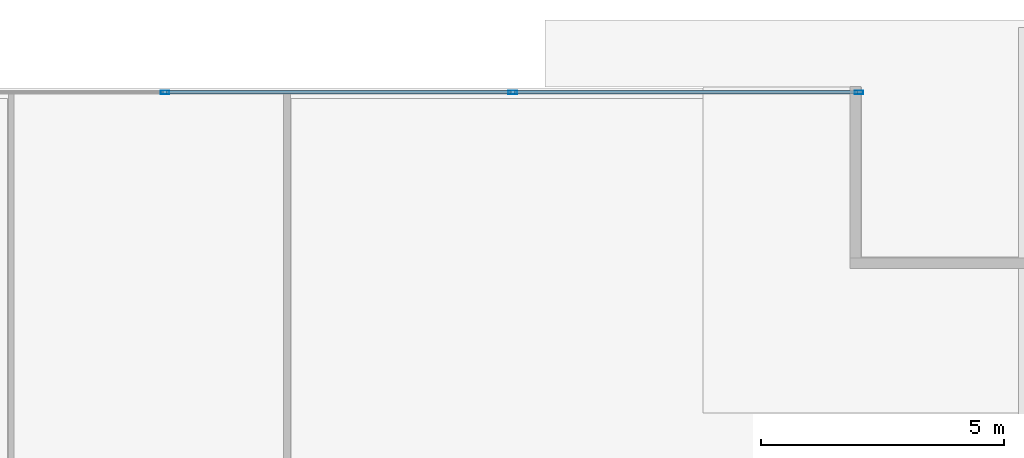
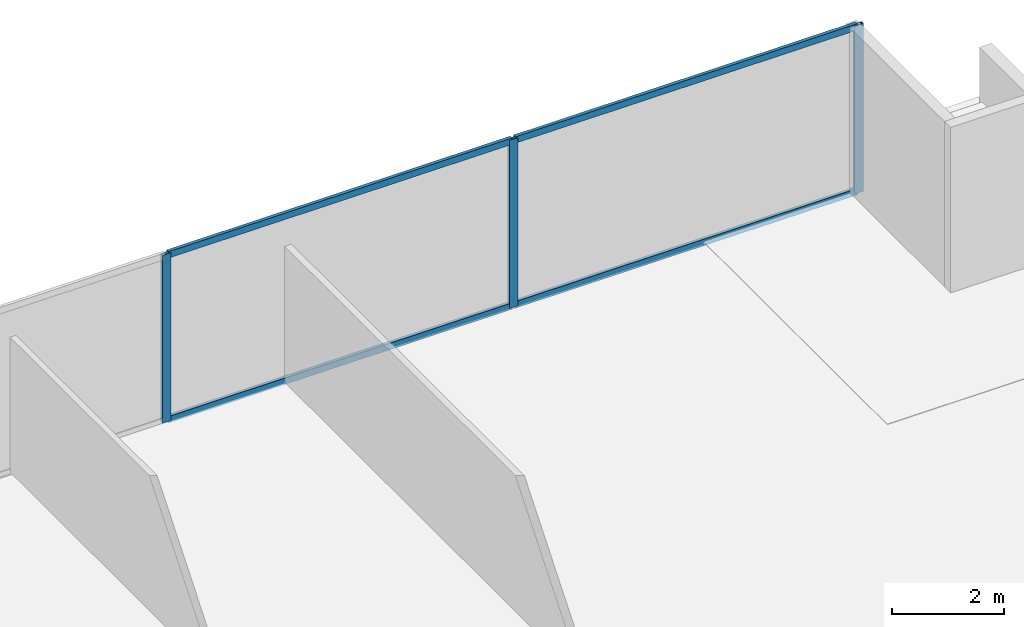
# One storey, part 23 of 30: 7 members, 1 element without a shape of its own.
"""IFC4 building model written with IfcOpenShell, lengths in metres."""

import ifcopenshell
import ifcopenshell.guid

model = None  # the IFC model being written
_history = None  # IfcOwnerHistory: only IFC2X3 demands one
_inside = {}  # id of a spatial element -> (the spatial element, [elements in it])
_under = {}  # id of a project, library or spatial element -> (it, [spatial elements below it])
_declared = {}  # id of a project -> (the project, [libraries it declares])
_typed = {}  # id of a type object -> (the type object, [elements of that type])
_made_of = {}  # id of a material, layer set ... -> (it, [elements and type objects made of it])


def new_model(schema):
    """Start an empty IFC model of exactly this schema.

    Asked for "IFC4X3", IfcOpenShell would pick the latest addendum, in which some entities
    have other attributes; the version numbers below select the first issue.
    IFC2X3 requires an IfcOwnerHistory on every rooted entity: one is made here for all.
    """
    global model, _history
    if schema == "IFC4X3":
        model = ifcopenshell.file(schema_version=(4, 3, 0, 0))
    else:
        model = ifcopenshell.file(schema=schema)
    _inside.clear()
    _under.clear()
    _declared.clear()
    _typed.clear()
    _made_of.clear()
    _history = None
    if model.schema == "IFC2X3":
        org = make("IfcOrganization", Name="unknown")
        user = make(
            "IfcPersonAndOrganization",
            ThePerson=make("IfcPerson", FamilyName="unknown"),
            TheOrganization=org,
        )
        app = make(
            "IfcApplication",
            ApplicationDeveloper=org,
            Version="unknown",
            ApplicationFullName="unknown",
            ApplicationIdentifier="unknown",
        )
        _history = make(
            "IfcOwnerHistory",
            OwningUser=user,
            OwningApplication=app,
            ChangeAction="ADDED",
            CreationDate=0,
        )
    return model


def make(cls, **values):
    """One entity of the class cls with the attributes given. An attribute that is None is left unset."""
    return model.create_entity(
        cls, **{name: value for name, value in values.items() if value is not None}
    )


def rooted(cls, **values):
    """An entity with a GlobalId (a new one), such as an element, a storey or a relation."""
    return make(cls, GlobalId=ifcopenshell.guid.new(), OwnerHistory=_history, **values)


def si_unit(unit_type, name, prefix=None):
    """IfcSIUnit, for example si_unit("LENGTHUNIT", "METRE", prefix="MILLI")."""
    return make("IfcSIUnit", UnitType=unit_type, Prefix=prefix, Name=name)


def assignment(units):
    """IfcUnitAssignment: the units of a project."""
    return None if units is None else make("IfcUnitAssignment", Units=units)


def point(xyz):
    """IfcCartesianPoint."""
    return None if xyz is None else make("IfcCartesianPoint", Coordinates=xyz)


def direction(xyz):
    """IfcDirection."""
    return None if xyz is None else make("IfcDirection", DirectionRatios=xyz)


def frame(location, z_axis=None, x_axis=None):
    """IfcAxis2Placement3D, a coordinate frame: its origin and axes. An axis left out is left unset."""
    return make(
        "IfcAxis2Placement3D",
        Location=point(location),
        Axis=direction(z_axis),
        RefDirection=direction(x_axis),
    )


def frame_2d(location, x_axis=None):
    """IfcAxis2Placement2D, a coordinate frame in the plane: its origin and x axis."""
    return make(
        "IfcAxis2Placement2D", Location=point(location), RefDirection=direction(x_axis)
    )


def origin():
    """The frame at (0, 0, 0) with its axes left unset."""
    return frame((0.0, 0.0, 0.0))


def origin_2d():
    """The frame at (0, 0) in the plane with its x axis left unset."""
    return frame_2d((0.0, 0.0))


def place(relative_to, where):
    """IfcLocalPlacement: puts the frame where relative to a parent placement (None: the world)."""
    return make(
        "IfcLocalPlacement", PlacementRelTo=relative_to, RelativePlacement=where
    )


def context(
    kind, dimensions, precision=None, world=None, true_north=None, identifier=None
):
    """IfcGeometricRepresentationContext, for example the 3D "Model" context."""
    return make(
        "IfcGeometricRepresentationContext",
        ContextIdentifier=identifier,
        ContextType=kind,
        CoordinateSpaceDimension=dimensions,
        Precision=precision,
        WorldCoordinateSystem=world,
        TrueNorth=true_north,
    )


def subcontext(parent, identifier, kind, view, scale=None):
    """IfcGeometricRepresentationSubContext, for example "Body" below "Model"."""
    return make(
        "IfcGeometricRepresentationSubContext",
        ContextIdentifier=identifier,
        ContextType=kind,
        ParentContext=parent,
        TargetScale=scale,
        TargetView=view,
    )


def project(units=None, contexts=None):
    """IfcProject with its units and contexts."""
    return rooted(
        "IfcProject",
        Name="project",
        RepresentationContexts=contexts,
        UnitsInContext=assignment(units),
    )


def spatial(cls, under=None, at=None, **own):
    """A site, building, storey or space (cls), placed at a placement, below another one or the project."""
    s = rooted(cls, ObjectPlacement=at, **own)
    if under is not None:
        _under.setdefault(under.id(), (under, []))[1].append(s)
    return s


def profile(cls, at=None, kind="AREA", **sizes):
    """A parametric profile (cls). Its sizes go by their IFC names, for example OverallWidth=200.0."""
    return make(cls, ProfileType=kind, Position=at, **sizes)


def hollow_rectangle(**sizes):
    """IfcRectangleHollowProfileDef."""
    return profile("IfcRectangleHollowProfileDef", **sizes)


def extrude(swept, where, along, depth):
    """IfcExtrudedAreaSolid: the profile swept, set in the frame where, extruded along a direction by depth."""
    return make(
        "IfcExtrudedAreaSolid",
        SweptArea=swept,
        Position=where,
        ExtrudedDirection=direction(along),
        Depth=depth,
    )


def shape(context_of_items, identifier, shape_type, items):
    """IfcShapeRepresentation: the items that make up one representation, for example the "Body"."""
    return make(
        "IfcShapeRepresentation",
        ContextOfItems=context_of_items,
        RepresentationIdentifier=identifier,
        RepresentationType=shape_type,
        Items=items,
    )


def source(mapping_origin, context_of_items, identifier, shape_type, items):
    """IfcRepresentationMap: a shape defined once, which mapped items show again and again."""
    return make(
        "IfcRepresentationMap",
        MappingOrigin=mapping_origin,
        MappedRepresentation=shape(context_of_items, identifier, shape_type, items),
    )


def transform(
    local_origin,
    x_axis=None,
    y_axis=None,
    z_axis=None,
    scale=None,
    scale2=None,
    scale3=None,
    uniform=True,
):
    """IfcCartesianTransformationOperator3D, or its non-uniform kind. x_axis, y_axis, z_axis: its Axis1, 2, 3."""
    if uniform:
        return make(
            "IfcCartesianTransformationOperator3D",
            Axis1=direction(x_axis),
            Axis2=direction(y_axis),
            LocalOrigin=point(local_origin),
            Scale=scale,
            Axis3=direction(z_axis),
        )
    return make(
        "IfcCartesianTransformationOperator3DnonUniform",
        Axis1=direction(x_axis),
        Axis2=direction(y_axis),
        LocalOrigin=point(local_origin),
        Scale=scale,
        Axis3=direction(z_axis),
        Scale2=scale2,
        Scale3=scale3,
    )


def mapped(mapping_source, mapping_target):
    """IfcMappedItem: shows the shape of a source again, moved by a transform."""
    return make(
        "IfcMappedItem", MappingSource=mapping_source, MappingTarget=mapping_target
    )


def material(Name=None, Category=None):
    """IfcMaterial."""
    return make("IfcMaterial", Name=Name, Category=Category)


def material_profile(
    of_material, cross_section, Name=None, Category=None, Priority=None
):
    """IfcMaterialProfile: a cross section and its material."""
    return make(
        "IfcMaterialProfile",
        Name=Name,
        Material=of_material,
        Profile=cross_section,
        Priority=Priority,
        Category=Category,
    )


def profile_set(profiles, Name=None, composite=None):
    """IfcMaterialProfileSet."""
    return make(
        "IfcMaterialProfileSet",
        Name=Name,
        MaterialProfiles=profiles,
        CompositeProfile=composite,
    )


def made_of(thing, what):
    """Note that an element or type object is made of a material, layer set ...; save() writes the relation."""
    if what is not None:
        _made_of.setdefault(what.id(), (what, []))[1].append(thing)
    return thing


def type_object(cls, material=None, **own):
    """A type object (cls), such as IfcWallType, which elements share."""
    return made_of(rooted(cls, **own), material)


def type_shapes(of_type, sources):
    """Give a type object the sources (RepresentationMaps) that its elements show as mapped items."""
    of_type.RepresentationMaps = sources


def element(
    cls,
    number,
    at=None,
    inside=None,
    cuts=None,
    type_object=None,
    material=None,
    context=None,
    identifier="Body",
    shape_type=None,
    held_by="IfcProductDefinitionShape",
    body=None,
    shapes=None,
    **own,
):
    """One element of the class cls, such as IfcWall. Its Tag is "e" and its number.

    at: its placement. inside: the storey or other place that contains it. cuts: it is an
    opening in that element (IfcRelVoidsElement). A single representation is given by context,
    identifier, shape_type and body (its items); several are given by shapes. held_by: the class
    of the entity that holds the representations. save() writes the other relations.
    """
    e = rooted(cls, Tag="e%d" % number, ObjectPlacement=at, **own)
    if body is not None:
        shapes = [shape(context, identifier, shape_type, body)]
    if shapes is not None:
        e.Representation = make(held_by, Representations=shapes)
    if inside is not None:
        _inside.setdefault(inside.id(), (inside, []))[1].append(e)
    if cuts is not None:
        rooted(
            "IfcRelVoidsElement", RelatingBuildingElement=cuts, RelatedOpeningElement=e
        )
    if type_object is not None:
        _typed.setdefault(type_object.id(), (type_object, []))[1].append(e)
    return made_of(e, material)


def aggregate(whole, parts):
    """IfcRelAggregates: a whole, such as a stair, and the parts it consists of."""
    return rooted("IfcRelAggregates", RelatingObject=whole, RelatedObjects=parts)


def save(model, path):
    """Write the relations noted so far, then the file.

    IfcRelAggregates (storeys below a building ...), IfcRelContainedInSpatialStructure (elements
    in a storey), IfcRelDefinesByType, IfcRelAssociatesMaterial and IfcRelDeclares: one each for
    every whole, place, type object, material and project.
    """
    for whole, parts in _under.values():
        aggregate(whole, parts)
    for where, things in _inside.values():
        rooted(
            "IfcRelContainedInSpatialStructure",
            RelatedElements=things,
            RelatingStructure=where,
        )
    for kind, things in _typed.values():
        rooted("IfcRelDefinesByType", RelatedObjects=things, RelatingType=kind)
    for what, things in _made_of.values():
        rooted("IfcRelAssociatesMaterial", RelatedObjects=things, RelatingMaterial=what)
    for by, libraries in _declared.values():
        rooted("IfcRelDeclares", RelatingContext=by, RelatedDefinitions=libraries)
    model.write(path)


model = new_model("IFC4")

# Units and contexts
model_context = context("Model", 3, precision=1e-05, world=origin(), true_north=direction((0.0, 1.0)))
body_context = subcontext(model_context, "Body", "Model", "MODEL_VIEW")
ifc_project = project(units=[si_unit("LENGTHUNIT", "METRE"), si_unit("AREAUNIT", "SQUARE_METRE"), si_unit("VOLUMEUNIT", "CUBIC_METRE"), si_unit("PLANEANGLEUNIT", "RADIAN"), si_unit("MASSUNIT", "GRAM", prefix="KILO")], contexts=[model_context])

# Site, building, storey
site_placement = place(None, origin())
site = spatial("IfcSite", under=ifc_project, at=site_placement, CompositionType="ELEMENT")
building_placement = place(site_placement, origin())
building = spatial("IfcBuilding", under=site, at=building_placement, Name="Krantzveldt Concourse Tower", CompositionType="ELEMENT")
storey_placement = place(building_placement, frame((0.0, 0.0, 25.0)))
storey = spatial("IfcBuildingStorey", under=building, at=storey_placement, Name="L05", CompositionType="ELEMENT", Elevation=25.0)

# Curtain wall, members
ifc_material = material(Name="Anodised aluminium 6063-T6", Category="aluminium")
curtain_wall_type = type_object("IfcCurtainWallType", Name="CW2", PredefinedType="USERDEFINED", material=ifc_material)
curtain_wall_placement = place(storey_placement, origin())
curtain_wall = element("IfcCurtainWall", 1, at=curtain_wall_placement, inside=storey, type_object=curtain_wall_type, Name="CW-L05-F10", ObjectType="UNITISED CURTAIN WALL", PredefinedType="USERDEFINED")
ifc_material_profile_1 = material_profile(ifc_material, hollow_rectangle(XDim=0.070068359375, YDim=0.179931640625, WallThickness=0.0048828125, at=origin_2d()), Name="Anodised aluminium 6063-T6", Category="aluminium")
ifc_profile_set_1 = profile_set([ifc_material_profile_1], Name="Anodised aluminium 6063-T6 - ALU-MULL 180x70x5")
member_type_1 = type_object("IfcMemberType", Name="CW-MUL-180", PredefinedType="MULLION", material=ifc_profile_set_1)
shared_shape_1 = source(origin(), body_context, "Body", "SweptSolid", [
    extrude(hollow_rectangle(XDim=0.070068359375, YDim=0.179931640625, WallThickness=0.0048828125, at=origin_2d()), origin(), (0.0, 0.0, 1.0), 3.669921875),
])
type_shapes(member_type_1, [shared_shape_1])
member_1_placement = place(storey_placement, frame((57.465087890625, 51.610107421875, 0.0), z_axis=(0.0, 0.0, 1.0), x_axis=(0.0, -1.0, 0.0)))
member_1 = element("IfcMember", 2, at=member_1_placement, type_object=member_type_1, Name="CW-Z12 mullion 1", PredefinedType="MULLION", context=body_context, shape_type="MappedRepresentation", body=[
    mapped(shared_shape_1, transform((0.0, 0.0, 0.0), x_axis=(1.0, 0.0, 0.0), y_axis=(0.0, 1.0, 0.0), z_axis=(0.0, 0.0, 1.0), scale=1.0)),
])
member_2_placement = place(storey_placement, frame((50.333251953125, 51.610107421875, 0.0), z_axis=(0.0, 0.0, 1.0), x_axis=(0.0, -1.0, 0.0)))
member_2 = element("IfcMember", 3, at=member_2_placement, type_object=member_type_1, Name="CW-Z12 mullion 2", PredefinedType="MULLION", context=body_context, shape_type="MappedRepresentation", body=[
    mapped(shared_shape_1, transform((0.0, 0.0, 0.0), x_axis=(1.0, 0.0, 0.0), y_axis=(0.0, 1.0, 0.0), z_axis=(0.0, 0.0, 1.0), scale=1.0)),
])
member_3_placement = place(storey_placement, frame((43.166748046875, 51.610107421875, 0.0), z_axis=(0.0, 0.0, 1.0), x_axis=(0.0, -1.0, 0.0)))
member_3 = element("IfcMember", 4, at=member_3_placement, type_object=member_type_1, Name="CW-Z12 mullion 3", PredefinedType="MULLION", context=body_context, shape_type="MappedRepresentation", body=[
    mapped(shared_shape_1, transform((0.0, 0.0, 0.0), x_axis=(1.0, 0.0, 0.0), y_axis=(0.0, 1.0, 0.0), z_axis=(0.0, 0.0, 1.0), scale=1.0)),
])
ifc_material_profile_2 = material_profile(ifc_material, hollow_rectangle(XDim=0.070068359375, YDim=0.139892578125, WallThickness=0.0048828125, at=origin_2d()), Name="Anodised aluminium 6063-T6", Category="aluminium")
ifc_profile_set_2 = profile_set([ifc_material_profile_2], Name="Anodised aluminium 6063-T6 - ALU-TRAN 140x70x5")
member_type_2 = type_object("IfcMemberType", Name="CW-TRN-150", PredefinedType="USERDEFINED", material=ifc_profile_set_2)
shared_shape_2 = source(origin(), body_context, "Body", "SweptSolid", [
    extrude(hollow_rectangle(XDim=0.070068359375, YDim=0.139892578125, WallThickness=0.0048828125, at=origin_2d()), origin(), (0.0, 0.0, 1.0), 7.0615234375),
])
member_4_placement = place(storey_placement, frame((57.429931640625, 51.610107421875, 0.034912109375), z_axis=(-1.0, 0.0, 0.0), x_axis=(0.0, -1.0, 0.0)))
member_4 = element("IfcMember", 5, at=member_4_placement, type_object=member_type_2, Name="CW-Z12 transom 1.1", ObjectType="TRANSOM", PredefinedType="USERDEFINED", context=body_context, shape_type="MappedRepresentation", body=[
    mapped(shared_shape_2, transform((0.0, 0.0, 0.0), x_axis=(1.0, 0.0, 0.0), y_axis=(0.0, 1.0, 0.0), z_axis=(0.0, 0.0, 1.0), scale=1.0)),
])
member_5_placement = place(storey_placement, frame((57.429931640625, 51.610107421875, 3.635009765625), z_axis=(-1.0, 0.0, 0.0), x_axis=(0.0, -1.0, 0.0)))
member_5 = element("IfcMember", 6, at=member_5_placement, type_object=member_type_2, Name="CW-Z12 transom 1.2", ObjectType="TRANSOM", PredefinedType="USERDEFINED", context=body_context, shape_type="MappedRepresentation", body=[
    mapped(shared_shape_2, transform((0.0, 0.0, 0.0), x_axis=(1.0, 0.0, 0.0), y_axis=(0.0, 1.0, 0.0), z_axis=(0.0, 0.0, 1.0), scale=1.0)),
])
shared_shape_3 = source(origin(), body_context, "Body", "SweptSolid", [
    extrude(hollow_rectangle(XDim=0.070068359375, YDim=0.139892578125, WallThickness=0.0048828125, at=origin_2d()), origin(), (0.0, 0.0, 1.0), 7.0966796875),
])
type_shapes(member_type_2, [shared_shape_2, shared_shape_3])
member_6_placement = place(storey_placement, frame((50.29833984375, 51.610107421875, 0.034912109375), z_axis=(-1.0, 0.0, 0.0), x_axis=(0.0, -1.0, 0.0)))
member_6 = element("IfcMember", 7, at=member_6_placement, type_object=member_type_2, Name="CW-Z12 transom 2.1", ObjectType="TRANSOM", PredefinedType="USERDEFINED", context=body_context, shape_type="MappedRepresentation", body=[
    mapped(shared_shape_3, transform((0.0, 0.0, 0.0), x_axis=(1.0, 0.0, 0.0), y_axis=(0.0, 1.0, 0.0), z_axis=(0.0, 0.0, 1.0), scale=1.0)),
])
member_7_placement = place(storey_placement, frame((50.29833984375, 51.610107421875, 3.635009765625), z_axis=(-1.0, 0.0, 0.0), x_axis=(0.0, -1.0, 0.0)))
member_7 = element("IfcMember", 8, at=member_7_placement, type_object=member_type_2, Name="CW-Z12 transom 2.2", ObjectType="TRANSOM", PredefinedType="USERDEFINED", context=body_context, shape_type="MappedRepresentation", body=[
    mapped(shared_shape_3, transform((0.0, 0.0, 0.0), x_axis=(1.0, 0.0, 0.0), y_axis=(0.0, 1.0, 0.0), z_axis=(0.0, 0.0, 1.0), scale=1.0)),
])
aggregate(curtain_wall, [member_1, member_2, member_3, member_4, member_5, member_6, member_7])

save(model, "model.ifc")
